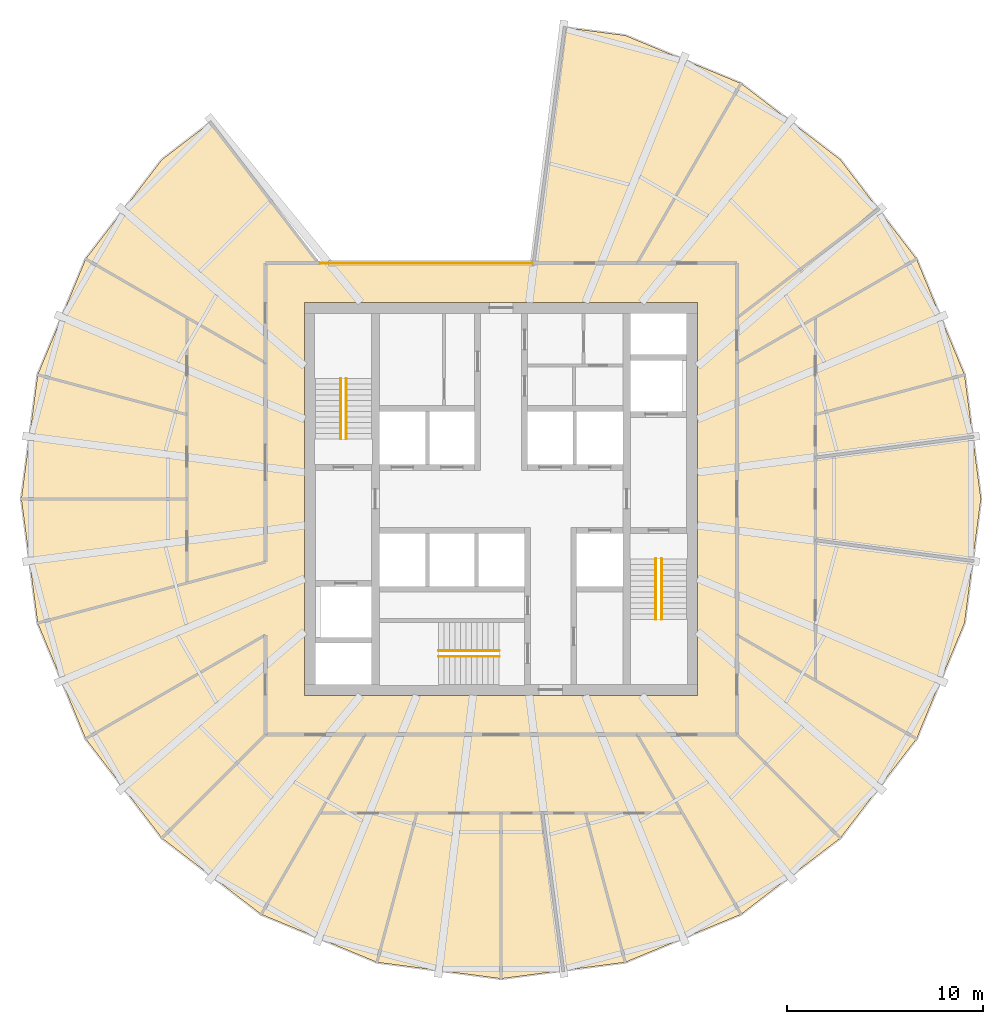
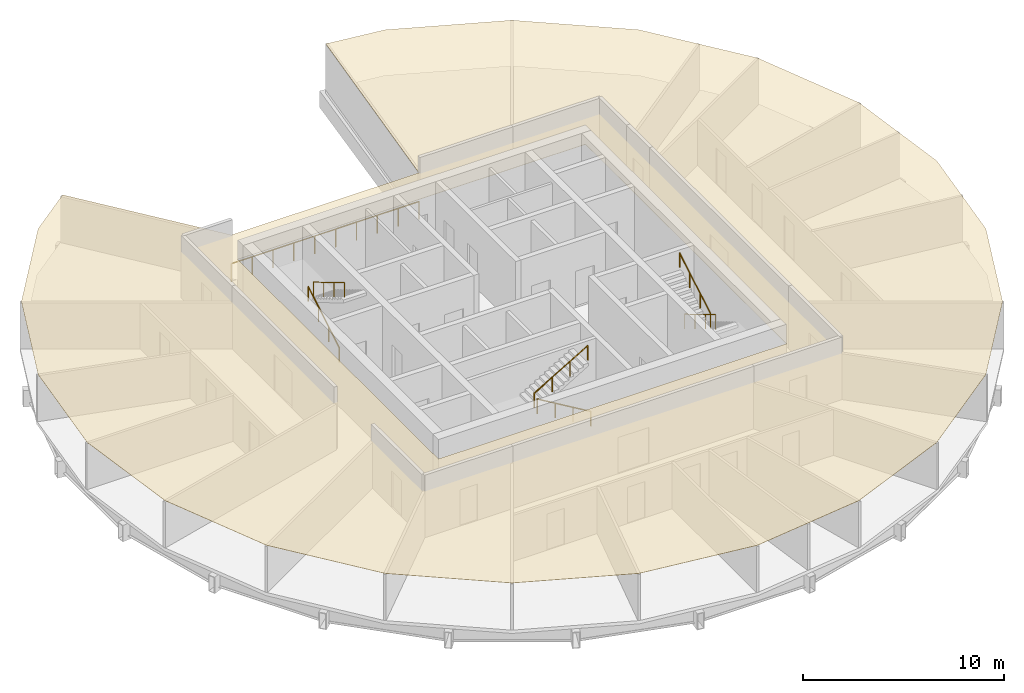
# One storey, part 6 of 6: 7 railings, 1 covering.
"""IFC4 building model written with IfcOpenShell, lengths in metres."""

from ifc_helpers import new_model, si_unit, direction, frame, origin, origin_2d, place, context, subcontext, project, spatial, polyline, circle, outline, extrude, material, layer, layer_set, type_object, element, save


model = new_model("IFC4")

# Units and contexts
model_context = context("Model", 3, precision=1e-05, world=origin(), true_north=direction((0.0, 1.0)))
body_context = subcontext(model_context, "Body", "Model", "MODEL_VIEW")
ifc_project = project(units=[si_unit("LENGTHUNIT", "METRE"), si_unit("AREAUNIT", "SQUARE_METRE"), si_unit("VOLUMEUNIT", "CUBIC_METRE"), si_unit("PLANEANGLEUNIT", "RADIAN"), si_unit("MASSUNIT", "GRAM", prefix="KILO")], contexts=[model_context])

# Site, building, storey
site_placement = place(None, origin())
site = spatial("IfcSite", under=ifc_project, at=site_placement, CompositionType="ELEMENT")
building_placement = place(site_placement, origin())
building = spatial("IfcBuilding", under=site, at=building_placement, Name="Golbaran Civic Tower", CompositionType="ELEMENT")
storey_placement = place(building_placement, frame((0.0, 0.0, 110.0)))
storey = spatial("IfcBuildingStorey", under=building, at=storey_placement, Name="L26", CompositionType="ELEMENT", Elevation=110.0)

# Railings
ifc_material_1 = material(Name="Laminated glass, steel shoe", Category="steel")
railing_type_1 = type_object("IfcRailingType", Name="GLASS BALUSTRADE 1100", PredefinedType="GUARDRAIL", material=ifc_material_1)
railing_1_placement = place(storey_placement, frame((1.579345703125, 12.0, 0.0)))
element("IfcRailing", 1, at=railing_1_placement, inside=storey, type_object=railing_type_1, Name="Sky garden void guard L26", PredefinedType="GUARDRAIL", context=body_context, shape_type="SweptSolid", body=[
    extrude(circle(Radius=0.02392578125, at=origin_2d()), frame((0.0, 0.0, 1.076171875), z_axis=(-1.0, 0.0, 0.0), x_axis=(0.0, -1.0, 0.0)), (0.0, 0.0, 1.0), 10.78662109375),
    extrude(circle(Radius=0.02099609375, at=origin_2d()), origin(), (0.0, 0.0, 1.0), 1.052001953125),
    extrude(circle(Radius=0.02099609375, at=origin_2d()), frame((-1.198486328125, 0.0, 0.0)), (0.0, 0.0, 1.0), 1.052001953125),
    extrude(circle(Radius=0.02099609375, at=origin_2d()), frame((-2.39697265625, 0.0, 0.0)), (0.0, 0.0, 1.0), 1.052001953125),
    extrude(circle(Radius=0.02099609375, at=origin_2d()), frame((-3.595458984375, 0.0, 0.0)), (0.0, 0.0, 1.0), 1.052001953125),
    extrude(circle(Radius=0.02099609375, at=origin_2d()), frame((-4.7939453125, 0.0, 0.0)), (0.0, 0.0, 1.0), 1.052001953125),
    extrude(circle(Radius=0.02099609375, at=origin_2d()), frame((-5.99267578125, 0.0, 0.0)), (0.0, 0.0, 1.0), 1.052001953125),
    extrude(circle(Radius=0.02099609375, at=origin_2d()), frame((-7.191162109375, 0.0, 0.0)), (0.0, 0.0, 1.0), 1.052001953125),
    extrude(circle(Radius=0.02099609375, at=origin_2d()), frame((-8.3896484375, 0.0, 0.0)), (0.0, 0.0, 1.0), 1.052001953125),
    extrude(circle(Radius=0.02099609375, at=origin_2d()), frame((-9.588134765625, 0.0, 0.0)), (0.0, 0.0, 1.0), 1.052001953125),
    extrude(circle(Radius=0.02099609375, at=origin_2d()), frame((-10.78662109375, 0.0, 0.0)), (0.0, 0.0, 1.0), 1.052001953125),
])
ifc_material_2 = material(Name="Stainless steel", Category="steel")
railing_type_2 = type_object("IfcRailingType", Name="STAIR HANDRAIL 900", PredefinedType="HANDRAIL", material=ifc_material_2)
railing_2_placement = place(storey_placement, frame((-8.175048828125, 3.050048828125, 0.166748046875)))
element("IfcRailing", 2, at=railing_2_placement, inside=storey, type_object=railing_type_2, Name="Stair S1 handrail flight 1 L26", PredefinedType="HANDRAIL", context=body_context, shape_type="SweptSolid", body=[
    extrude(circle(Radius=0.02392578125, at=origin_2d()), frame((0.0, 0.0, 0.8759765625), z_axis=(0.0, 0.859290745958, 0.51148745235), x_axis=(-1.0, 0.0, 0.0)), (0.0, 0.0, 1.0), 3.584228515625),
    extrude(circle(Radius=0.02099609375, at=origin_2d()), origin(), (0.0, 0.0, 1.0), 0.851806640625),
    extrude(circle(Radius=0.02099609375, at=origin_2d()), frame((0.0, 1.026611328125, 0.611083984375)), (0.0, 0.0, 1.0), 0.851806640625),
    extrude(circle(Radius=0.02099609375, at=origin_2d()), frame((0.0, 2.05322265625, 1.22216796875)), (0.0, 0.0, 1.0), 0.851806640625),
    extrude(circle(Radius=0.02099609375, at=origin_2d()), frame((0.0, 3.079833984375, 1.833251953125)), (0.0, 0.0, 1.0), 0.851806640625),
])
for number, where, name in (
    (3, (-7.875, 6.1298828125, 2.166748046875), "Stair S1 handrail flight 2 L26"),
    (4, (8.175048828125, -3.050048828125, 0.166748046875), "Stair S2 handrail flight 1 L26"),
):
    element("IfcRailing", number, at=place(storey_placement, frame(where)), inside=storey, type_object=railing_type_2, Name=name, PredefinedType="HANDRAIL", context=body_context, shape_type="SweptSolid", body=[
        extrude(circle(Radius=0.02392578125, at=origin_2d()), frame((0.0, 0.0, 0.8759765625), z_axis=(0.0, -0.859290745958, 0.51148745235), x_axis=(1.0, 0.0, 0.0)), (0.0, 0.0, 1.0), 3.584228515625),
        extrude(circle(Radius=0.02099609375, at=origin_2d()), origin(), (0.0, 0.0, 1.0), 0.851806640625),
        extrude(circle(Radius=0.02099609375, at=origin_2d()), frame((0.0, -1.026611328125, 0.611083984375)), (0.0, 0.0, 1.0), 0.851806640625),
        extrude(circle(Radius=0.02099609375, at=origin_2d()), frame((0.0, -2.05322265625, 1.22216796875)), (0.0, 0.0, 1.0), 0.851806640625),
        extrude(circle(Radius=0.02099609375, at=origin_2d()), frame((0.0, -3.079833984375, 1.833251953125)), (0.0, 0.0, 1.0), 0.851806640625),
    ])
railing_3_placement = place(storey_placement, frame((7.875, -6.1298828125, 2.166748046875)))
element("IfcRailing", 5, at=railing_3_placement, inside=storey, type_object=railing_type_2, Name="Stair S2 handrail flight 2 L26", PredefinedType="HANDRAIL", context=body_context, shape_type="SweptSolid", body=[
    extrude(circle(Radius=0.02392578125, at=origin_2d()), frame((0.0, 0.0, 0.8759765625), z_axis=(0.0, 0.859290745958, 0.51148745235), x_axis=(-1.0, 0.0, 0.0)), (0.0, 0.0, 1.0), 3.584228515625),
    extrude(circle(Radius=0.02099609375, at=origin_2d()), origin(), (0.0, 0.0, 1.0), 0.851806640625),
    extrude(circle(Radius=0.02099609375, at=origin_2d()), frame((0.0, 1.026611328125, 0.611083984375)), (0.0, 0.0, 1.0), 0.851806640625),
    extrude(circle(Radius=0.02099609375, at=origin_2d()), frame((0.0, 2.05322265625, 1.22216796875)), (0.0, 0.0, 1.0), 0.851806640625),
    extrude(circle(Radius=0.02099609375, at=origin_2d()), frame((0.0, 3.079833984375, 1.833251953125)), (0.0, 0.0, 1.0), 0.851806640625),
])
railing_4_placement = place(storey_placement, frame((-0.10009765625, -8.02490234375, 0.166748046875)))
element("IfcRailing", 6, at=railing_4_placement, inside=storey, type_object=railing_type_2, Name="Stair S3 handrail flight 1 L26", PredefinedType="HANDRAIL", context=body_context, shape_type="SweptSolid", body=[
    extrude(circle(Radius=0.02392578125, at=origin_2d()), frame((0.0, 0.0, 0.8759765625), z_axis=(-0.859290745958, 0.0, 0.51148745235), x_axis=(0.0, -1.0, 0.0)), (0.0, 0.0, 1.0), 3.584228515625),
    extrude(circle(Radius=0.02099609375, at=origin_2d()), origin(), (0.0, 0.0, 1.0), 0.851806640625),
    extrude(circle(Radius=0.02099609375, at=origin_2d()), frame((-1.026611328125, 0.0, 0.611083984375)), (0.0, 0.0, 1.0), 0.851806640625),
    extrude(circle(Radius=0.02099609375, at=origin_2d()), frame((-2.05322265625, 0.0, 1.22216796875)), (0.0, 0.0, 1.0), 0.851806640625),
    extrude(circle(Radius=0.02099609375, at=origin_2d()), frame((-3.079833984375, 0.0, 1.833251953125)), (0.0, 0.0, 1.0), 0.851806640625),
])
railing_5_placement = place(storey_placement, frame((-3.179931640625, -7.72509765625, 2.166748046875)))
element("IfcRailing", 7, at=railing_5_placement, inside=storey, type_object=railing_type_2, Name="Stair S3 handrail flight 2 L26", PredefinedType="HANDRAIL", context=body_context, shape_type="SweptSolid", body=[
    extrude(circle(Radius=0.02392578125, at=origin_2d()), frame((0.0, 0.0, 0.8759765625), z_axis=(0.859290745958, 0.0, 0.51148745235), x_axis=(0.0, 1.0, 0.0)), (0.0, 0.0, 1.0), 3.584228515625),
    extrude(circle(Radius=0.02099609375, at=origin_2d()), origin(), (0.0, 0.0, 1.0), 0.851806640625),
    extrude(circle(Radius=0.02099609375, at=origin_2d()), frame((1.026611328125, 0.0, 0.611083984375)), (0.0, 0.0, 1.0), 0.851806640625),
    extrude(circle(Radius=0.02099609375, at=origin_2d()), frame((2.05322265625, 0.0, 1.22216796875)), (0.0, 0.0, 1.0), 0.851806640625),
    extrude(circle(Radius=0.02099609375, at=origin_2d()), frame((3.079833984375, 0.0, 1.833251953125)), (0.0, 0.0, 1.0), 0.851806640625),
])

# Covering
ifc_material_3 = material(Name="Mineral fibre tile on steel grid", Category="steel")
ifc_layer = layer(ifc_material_3, 0.02001953125, Name="Mineral fibre tile on steel grid")
ifc_layer_set = layer_set([ifc_layer], Name="Mineral fibre tile on steel grid")
covering_type = type_object("IfcCoveringType", Name="SUSPENDED CEILING 600 TILE 20", PredefinedType="CEILING", material=ifc_layer_set)
covering_placement = place(storey_placement, frame((0.0, 0.0, 2.800048828125)))
element("IfcCovering", 8, at=covering_placement, inside=storey, type_object=covering_type, Name="Suspended ceiling L26", PredefinedType="CEILING", context=body_context, shape_type="SweptSolid", body=[
    extrude(outline(polyline([(-17.273193359375, 17.273193359375), (-14.742919921875, 19.214599609375), (-9.207275390625, 12.0), (1.579345703125, 12.0), (3.160400390625, 24.011962890625), (6.322509765625, 23.595703125), (12.214111328125, 21.1552734375), (17.273193359375, 17.273193359375), (19.274658203125, 14.6650390625), (21.1552734375, 12.214111328125), (23.595703125, 6.322509765625), (24.427978515625, 0.0), (23.9921875, -3.309814453125), (23.595703125, -6.322509765625), (21.1552734375, -12.214111328125), (17.273193359375, -17.273193359375), (12.214111328125, -21.1552734375), (6.322509765625, -23.595703125), (0.0, -24.427978515625), (-6.322509765625, -23.595703125), (-12.214111328125, -21.1552734375), (-17.273193359375, -17.273193359375), (-21.1552734375, -12.214111328125), (-23.595703125, -6.322509765625), (-24.427978515625, 0.0), (-23.595703125, 6.322509765625), (-21.1552734375, 12.214111328125), (-17.273193359375, 17.273193359375)]), holes=[polyline([(-10.0, 10.0), (-10.0, -10.0), (10.0, -10.0), (10.0, 10.0), (-10.0, 10.0)])]), origin(), (0.0, 0.0, 1.0), 0.02001953125),
])

save(model, "model.ifc")
